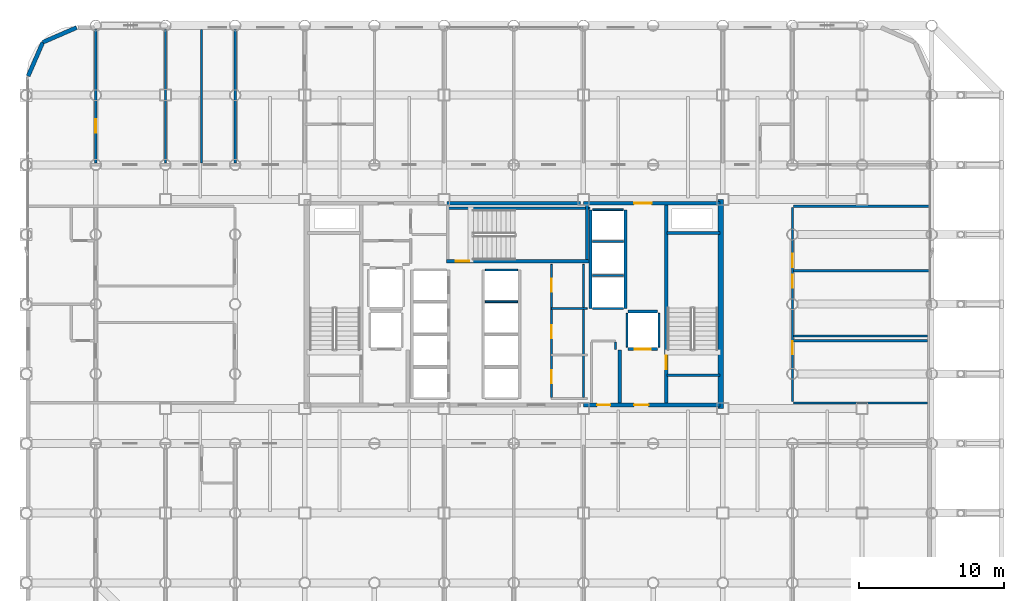
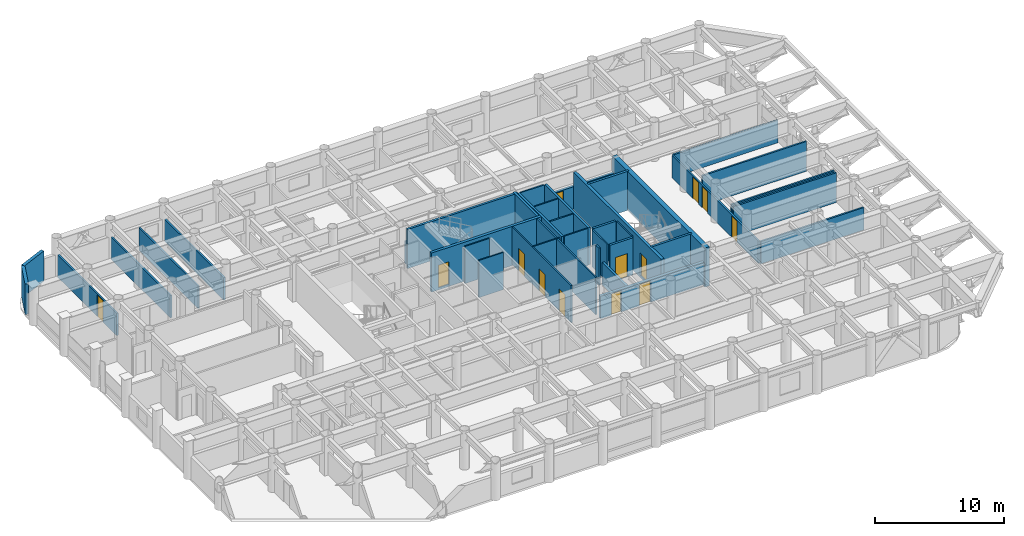
# One storey, part 23 of 26: 39 walls, 13 doors, 13 openings.
"""IFC4 building model written with IfcOpenShell, lengths in metres."""

from ifc_helpers import new_model, si_unit, direction, frame, frame_2d, origin, place, context, subcontext, project, spatial, rectangle, extrude, material, layer, layer_set, type_object, element, fill, save


model = new_model("IFC4")

# Units and contexts
model_context = context("Model", 3, precision=1e-05, world=origin(), true_north=direction((0.0, 1.0)))
body_context = subcontext(model_context, "Body", "Model", "MODEL_VIEW")
ifc_project = project(units=[si_unit("LENGTHUNIT", "METRE"), si_unit("AREAUNIT", "SQUARE_METRE"), si_unit("VOLUMEUNIT", "CUBIC_METRE"), si_unit("PLANEANGLEUNIT", "RADIAN"), si_unit("MASSUNIT", "GRAM", prefix="KILO")], contexts=[model_context])

# Site, building, storey
site_placement = place(None, origin())
site = spatial("IfcSite", under=ifc_project, at=site_placement, CompositionType="ELEMENT")
building_placement = place(site_placement, origin())
building = spatial("IfcBuilding", under=site, at=building_placement, Name="Kallvorn Hotel Tower", CompositionType="ELEMENT")
storey_placement = place(building_placement, frame((0.0, 0.0, 55.89990234375)))
storey = spatial("IfcBuildingStorey", under=building, at=storey_placement, Name="L12", CompositionType="ELEMENT", Elevation=55.89990234375)

# Walls
ifc_material_1 = material(Name="Concrete C50/60", Category="concrete")
ifc_layer_1 = layer(ifc_material_1, 0.39990234375)
ifc_layer_set_1 = layer_set([ifc_layer_1], Name="WL_CORE_400")
wall_type_1 = type_object("IfcWallType", Name="WL_CORE_400", PredefinedType="SHEAR", material=ifc_layer_set_1)
wall_1_placement = place(storey_placement, frame((14.264892578125, -7.199951171875, -0.179931640625), z_axis=(0.0, 0.0, 1.0), x_axis=(0.0, 1.0, 0.0)))
element("IfcWall", 1, at=wall_1_placement, inside=storey, type_object=wall_type_1, Name="L12 Core East Shear Wall", PredefinedType="SHEAR", context=body_context, shape_type="SweptSolid", body=[
    extrude(rectangle(XDim=14.39990234375, YDim=0.39990234375, at=frame_2d((7.199951171875, 0.0))), origin(), (0.0, 0.0, 1.0), 3.699951171875),
])
ifc_material_2 = material(Name="Fire-rated double-layer acoustic gypsum drywall EI 60")
ifc_layer_2 = layer(ifc_material_2, 0.159912109375)
ifc_layer_set_2 = layer_set([ifc_layer_2], Name="WL_DEMISE_160")
wall_type_2 = type_object("IfcWallType", Name="WL_DEMISE_160", PredefinedType="PARTITIONING", material=ifc_layer_set_2)
wall_2_placement = place(storey_placement, frame((-19.199951171875, 9.719970703125, 0.0), z_axis=(0.0, 0.0, 1.0), x_axis=(0.0, 1.0, 0.0)))
element("IfcWall", 2, at=wall_2_placement, inside=storey, type_object=wall_type_2, Name="L12 Suite 1204 Junior Living Salon Partition", PredefinedType="PARTITIONING", context=body_context, shape_type="SweptSolid", body=[
    extrude(rectangle(XDim=9.18994140625, YDim=0.159912109375, at=frame_2d((4.594970703125, 0.0))), origin(), (0.0, 0.0, 1.0), 2.1201171875),
])
ifc_material_3 = material(Name="Precast basalt-clad insulated concrete wall C40/50", Category="masonry")
ifc_layer_3 = layer(ifc_material_3, 0.280029296875)
ifc_layer_set_3 = layer_set([ifc_layer_3], Name="WL_EXT_LOGGIA_280")
wall_type_3 = type_object("IfcWallType", Name="WL_EXT_LOGGIA_280", PredefinedType="SOLIDWALL", material=ifc_layer_set_3)
wall_3_placement = place(storey_placement, frame((-30.120849609375, 19.057861328125, 0.0), z_axis=(0.0, 0.0, 1.0), x_axis=(-0.917060872934, -0.398747232384, 0.0)))
element("IfcWall", 3, at=wall_3_placement, inside=storey, type_object=wall_type_3, Name="L12 Rounded Corner Exterior Wall NW1", PredefinedType="SOLIDWALL", context=body_context, shape_type="SweptSolid", body=[
    extrude(rectangle(XDim=2.5361328125, YDim=0.280029296875, at=frame_2d((1.26806640625, 0.0))), origin(), (0.0, 0.0, 1.0), 2.8701171875),
])
wall_4_placement = place(storey_placement, frame((-32.446533203125, 18.046630859375, 0.0), z_axis=(0.0, 0.0, 1.0), x_axis=(-0.398792985289, -0.917040977756, 0.0)))
element("IfcWall", 4, at=wall_4_placement, inside=storey, type_object=wall_type_3, Name="L12 Rounded Corner Exterior Wall NW2", PredefinedType="SOLIDWALL", context=body_context, shape_type="SweptSolid", body=[
    extrude(rectangle(XDim=2.536376953125, YDim=0.280029296875, at=frame_2d((1.26806640625, 0.0))), origin(), (0.0, 0.0, 1.0), 2.8701171875),
])
ifc_material_4 = material(Name="Concrete C40/50", Category="concrete")
ifc_layer_4 = layer(ifc_material_4, 0.219970703125)
ifc_layer_set_4 = layer_set([ifc_layer_4], Name="WL_FFL_220")
wall_type_4 = type_object("IfcWallType", Name="WL_FFL_220", PredefinedType="SOLIDWALL", material=ifc_layer_set_4)
wall_5_placement = place(storey_placement, frame((7.300048828125, -6.820068359375, 0.0), z_axis=(0.0, 0.0, 1.0), x_axis=(0.0, 1.0, 0.0)))
element("IfcWall", 5, at=wall_5_placement, inside=storey, type_object=wall_type_4, Name="L12 Firefighting Lobby East Divider Wall", PredefinedType="SOLIDWALL", context=body_context, shape_type="SweptSolid", body=[
    extrude(rectangle(XDim=3.670166015625, YDim=0.219970703125, at=frame_2d((1.8349609375, 0.0))), origin(), (0.0, 0.0, 1.0), 2.1201171875),
])
ifc_material_5 = material(Name="Concrete C40/50", Category="concrete")
ifc_layer_5 = layer(ifc_material_5, 0.199951171875)
ifc_layer_set_5 = layer_set([ifc_layer_5], Name="WL_HOIST_200")
wall_type_5 = type_object("IfcWallType", Name="WL_HOIST_200", PredefinedType="SOLIDWALL", material=ifc_layer_set_5)
for number, where, z_axis, x_axis, name in (
    (6, (10.550048828125, -4.89990234375, -0.179931640625), (0.0, 0.0, 1.0), (1.0, 0.0, 0.0), "L12 Stair ST2 South Wall"),
    (7, (10.550048828125, 4.89990234375, -0.179931640625), (0.0, 0.0, 1.0), (1.0, 0.0, 0.0), "L12 Stair ST2 North Wall"),
):
    element("IfcWall", number, at=place(storey_placement, frame(where, z_axis=z_axis, x_axis=x_axis)), inside=storey, type_object=wall_type_5, Name=name, PredefinedType="SOLIDWALL", context=body_context, shape_type="SweptSolid", body=[
        extrude(rectangle(XDim=3.64990234375, YDim=0.199951171875, at=frame_2d((1.824951171875, 0.0))), origin(), (0.0, 0.0, 1.0), 3.699951171875),
    ])
wall_6_placement = place(storey_placement, frame((-4.64990234375, 6.610107421875, -0.179931640625), z_axis=(0.0, 0.0, 1.0), x_axis=(1.0, 0.0, 0.0)))
element("IfcWall", 8, at=wall_6_placement, inside=storey, type_object=wall_type_5, Name="L12 Stair ST3 Shaft North Wall", PredefinedType="SOLIDWALL", context=body_context, shape_type="SweptSolid", body=[
    extrude(rectangle(XDim=9.89990234375, YDim=0.199951171875, at=frame_2d((4.949951171875, 0.0))), origin(), (0.0, 0.0, 1.0), 3.699951171875),
])
wall_7_placement = place(storey_placement, frame((5.06005859375, 3.080078125, -0.179931640625), z_axis=(0.0, 0.0, 1.0), x_axis=(0.0, 1.0, 0.0)))
element("IfcWall", 9, at=wall_7_placement, inside=storey, type_object=wall_type_5, Name="L12 Stair ST3 East Wall", PredefinedType="SOLIDWALL", context=body_context, shape_type="SweptSolid", body=[
    extrude(rectangle(XDim=3.739990234375, YDim=0.199951171875, at=frame_2d((1.8701171875, 0.0))), origin(), (0.0, 0.0, 1.0), 3.699951171875),
])
for number, where, z_axis, x_axis, name in (
    (10, (7.699951171875, -0.300048828125, 0.0), (0.0, 0.0, 1.0), (0.0, 1.0, 0.0), "L12 Lift Bank OBS Landing Wall"),
    (11, (5.300048828125, -0.300048828125, 0.0), (0.0, 0.0, 1.0), (0.0, 1.0, 0.0), "L12 Lift Bank OBS Rear Shaft Wall"),
):
    element("IfcWall", number, at=place(storey_placement, frame(where, z_axis=z_axis, x_axis=x_axis)), inside=storey, type_object=wall_type_5, Name=name, PredefinedType="SOLIDWALL", context=body_context, shape_type="SweptSolid", body=[
        extrude(rectangle(XDim=6.800048828125, YDim=0.199951171875, at=frame_2d((3.39990234375, 0.0))), origin(), (0.0, 0.0, 1.0), 3.52001953125),
    ])

# Wall, opening, door
wall_8_placement = place(storey_placement, frame((7.8798828125, -3.10009765625, 0.0), z_axis=(0.0, 0.0, 1.0), x_axis=(1.0, 0.0, 0.0)))
wall_8 = element("IfcWall", 12, at=wall_8_placement, inside=storey, type_object=wall_type_5, Name="L12 FL-2 Landing Wall", PredefinedType="SOLIDWALL", context=body_context, shape_type="SweptSolid", body=[
    extrude(rectangle(XDim=2.0400390625, YDim=0.199951171875, at=frame_2d((1.02001953125, 0.0))), origin(), (0.0, 0.0, 1.0), 3.52001953125),
])
opening_1_placement = place(wall_8_placement, frame((0.469970703125, 0.0, 0.0)))
opening_1 = element("IfcOpeningElement", 13, at=opening_1_placement, cuts=wall_8, Name="Opening LD-FL-2", PredefinedType="OPENING", context=body_context, shape_type="SweptSolid", body=[
    extrude(rectangle(XDim=1.10009765625, YDim=2.199951171875, at=frame_2d((0.550048828125, 1.10009765625))), frame((0.0, 0.114990234375, 0.0), z_axis=(0.0, -1.0, 0.0), x_axis=(1.0, 0.0, 0.0)), (0.0, 0.0, 1.0), 0.22998046875),
])
ifc_material_6 = material(Name="Brushed stainless-steel automatic sliding lift landing door", Category="steel")
door_type_1 = type_object("IfcDoorType", Name="LD_PASS_1100x2200", OperationType="SLIDING_TO_LEFT", PredefinedType="DOOR", material=ifc_material_6)
door_1_placement = place(opening_1_placement, origin())
door_1 = element("IfcDoor", 14, at=door_1_placement, inside=storey, type_object=door_type_1, Name="L12 Lift Landing Sliding Door LD-FL-2", OperationType="SLIDING_TO_LEFT", OverallHeight=2.199951171875, OverallWidth=1.10009765625, PredefinedType="DOOR", context=body_context, shape_type="SweptSolid", body=[
    extrude(rectangle(XDim=1.10009765625, YDim=2.199951171875, at=frame_2d((0.550048828125, 1.10009765625))), frame((0.0, 0.02490234375, 0.0), z_axis=(0.0, -1.0, 0.0), x_axis=(1.0, 0.0, 0.0)), (0.0, 0.0, 1.0), 0.050048828125),
])
fill(opening_1, door_1)

# Walls
wall_9_placement = place(storey_placement, frame((7.8798828125, -0.5, 0.0), z_axis=(0.0, 0.0, 1.0), x_axis=(1.0, 0.0, 0.0)))
element("IfcWall", 15, at=wall_9_placement, inside=storey, type_object=wall_type_5, Name="L12 FL-2 Rear Shaft Wall", PredefinedType="SOLIDWALL", context=body_context, shape_type="SweptSolid", body=[
    extrude(rectangle(XDim=2.0400390625, YDim=0.199951171875, at=frame_2d((1.02001953125, 0.0))), origin(), (0.0, 0.0, 1.0), 3.52001953125),
])
ifc_material_7 = material(Name="Fire-rated double-layer acoustic gypsum drywall EI 60")
ifc_layer_6 = layer(ifc_material_7, 0.1201171875)
ifc_layer_set_6 = layer_set([ifc_layer_6], Name="WL_INT_120")
wall_type_6 = type_object("IfcWallType", Name="WL_INT_120", PredefinedType="PARTITIONING", material=ifc_layer_set_6)
for number, where, z_axis, x_axis, name in (
    (16, (-1.9599609375, 0.175048828125, 0.0), (0.0, 0.0, 1.0), (1.0, 0.0, 0.0), "L12 PL-07 Hoistway Divider"),
    (17, (-1.9599609375, 2.35009765625, 0.0), (0.0, 0.0, 1.0), (1.0, 0.0, 0.0), "L12 PL-08 Hoistway Divider"),
):
    element("IfcWall", number, at=place(storey_placement, frame(where, z_axis=z_axis, x_axis=x_axis)), inside=storey, type_object=wall_type_6, Name=name, PredefinedType="PARTITIONING", context=body_context, shape_type="SweptSolid", body=[
        extrude(rectangle(XDim=2.219970703125, YDim=0.1201171875, at=frame_2d((1.10986328125, 0.0))), origin(), (0.0, 0.0, 1.0), 3.52001953125),
    ])
for number, where, z_axis, x_axis, name in (
    (18, (5.43994140625, -0.300048828125, 0.0), (0.0, 0.0, 1.0), (1.0, 0.0, 0.0), "L12 Lift Bank OBS South Closure Wall"),
    (19, (5.43994140625, 1.97509765625, 0.0), (0.0, 0.0, 1.0), (1.0, 0.0, 0.0), "L12 OB-01 Hoistway Divider"),
    (20, (5.43994140625, 4.324951171875, 0.0), (0.0, 0.0, 1.0), (1.0, 0.0, 0.0), "L12 OB-02 Hoistway Divider"),
    (21, (5.43994140625, 6.5, 0.0), (0.0, 0.0, 1.0), (1.0, 0.0, 0.0), "L12 OB-03 Hoistway Divider"),
):
    element("IfcWall", number, at=place(storey_placement, frame(where, z_axis=z_axis, x_axis=x_axis)), inside=storey, type_object=wall_type_6, Name=name, PredefinedType="PARTITIONING", context=body_context, shape_type="SweptSolid", body=[
        extrude(rectangle(XDim=2.1201171875, YDim=0.1201171875, at=frame_2d((1.06005859375, 0.0))), origin(), (0.0, 0.0, 1.0), 3.52001953125),
    ])
for number, where, z_axis, x_axis, name in (
    (22, (7.800048828125, -2.9599609375, 0.0), (0.0, 0.0, 1.0), (0.0, 1.0, 0.0), "L12 FL-2 West Shaft Wall"),
    (23, (10.0, -2.9599609375, 0.0), (0.0, 0.0, 1.0), (0.0, 1.0, 0.0), "L12 FL-2 East Shaft Wall"),
):
    element("IfcWall", number, at=place(storey_placement, frame(where, z_axis=z_axis, x_axis=x_axis)), inside=storey, type_object=wall_type_6, Name=name, PredefinedType="PARTITIONING", context=body_context, shape_type="SweptSolid", body=[
        extrude(rectangle(XDim=2.320068359375, YDim=0.1201171875, at=frame_2d((1.16015625, 0.0))), origin(), (0.0, 0.0, 1.0), 3.52001953125),
    ])
wall_10_placement = place(storey_placement, frame((2.60009765625, -0.300048828125, 0.0), z_axis=(0.0, 0.0, 1.0), x_axis=(1.0, 0.0, 0.0)))
element("IfcWall", 24, at=wall_10_placement, inside=storey, type_object=wall_type_6, Name="L12 East Core Cleaners Room Partition", PredefinedType="PARTITIONING", context=body_context, shape_type="SweptSolid", body=[
    extrude(rectangle(XDim=2.449951171875, YDim=0.1201171875, at=frame_2d((1.22509765625, 0.0))), origin(), (0.0, 0.0, 1.0), 3.52001953125),
])

# Wall, openings, doors
wall_11_placement = place(storey_placement, frame((2.60009765625, -6.4150390625, 0.0), z_axis=(0.0, 0.0, 1.0), x_axis=(0.0, 1.0, 0.0)))
wall_11 = element("IfcWall", 25, at=wall_11_placement, inside=storey, type_object=wall_type_6, Name="L12 East Core Minibar Store Partition", PredefinedType="PARTITIONING", context=body_context, shape_type="SweptSolid", body=[
    extrude(rectangle(XDim=9.1650390625, YDim=0.1201171875, at=frame_2d((4.58251953125, 0.0))), origin(), (0.0, 0.0, 1.0), 3.52001953125),
])
opening_2_placement = place(wall_11_placement, frame((0.965087890625, 0.0, 0.0)))
opening_2 = element("IfcOpeningElement", 26, at=opening_2_placement, cuts=wall_11, Name="Opening SVD1", PredefinedType="OPENING", context=body_context, shape_type="SweptSolid", body=[
    extrude(rectangle(XDim=0.89990234375, YDim=2.10009765625, at=frame_2d((0.449951171875, 1.050048828125))), frame((0.0, 0.074951171875, 0.0), z_axis=(0.0, -1.0, 0.0), x_axis=(1.0, 0.0, 0.0)), (0.0, 0.0, 1.0), 0.150146484375),
])
opening_3_placement = place(wall_11_placement, frame((4.06494140625, 0.0, 0.0)))
opening_3 = element("IfcOpeningElement", 27, at=opening_3_placement, cuts=wall_11, Name="Opening SVD1", PredefinedType="OPENING", context=body_context, shape_type="SweptSolid", body=[
    extrude(rectangle(XDim=0.89990234375, YDim=2.10009765625, at=frame_2d((0.449951171875, 1.050048828125))), frame((0.0, 0.074951171875, 0.0), z_axis=(0.0, -1.0, 0.0), x_axis=(1.0, 0.0, 0.0)), (0.0, 0.0, 1.0), 0.150146484375),
])
opening_4_placement = place(wall_11_placement, frame((7.264892578125, 0.0, 0.0)))
opening_4 = element("IfcOpeningElement", 28, at=opening_4_placement, cuts=wall_11, Name="Opening SVD1", PredefinedType="OPENING", context=body_context, shape_type="SweptSolid", body=[
    extrude(rectangle(XDim=0.89990234375, YDim=2.10009765625, at=frame_2d((0.449951171875, 1.050048828125))), frame((0.0, 0.074951171875, 0.0), z_axis=(0.0, -1.0, 0.0), x_axis=(1.0, 0.0, 0.0)), (0.0, 0.0, 1.0), 0.150146484375),
])
ifc_material_8 = material(Name="Galvanised painted steel fire-rated door assembly", Category="steel")
door_type_2 = type_object("IfcDoorType", Name="DR_SERV_900x2100", OperationType="NOTDEFINED", PredefinedType="DOOR", material=ifc_material_8)
door_2_placement = place(opening_2_placement, origin())
door_2 = element("IfcDoor", 29, at=door_2_placement, inside=storey, type_object=door_type_2, Name="L12 East Core Minibar Store Door", OperationType="SINGLE_SWING_RIGHT", OverallHeight=2.10009765625, OverallWidth=0.89990234375, PredefinedType="DOOR", context=body_context, shape_type="SweptSolid", body=[
    extrude(rectangle(XDim=0.89990234375, YDim=2.10009765625, at=frame_2d((0.449951171875, 1.050048828125))), frame((0.0, 0.02490234375, 0.0), z_axis=(0.0, -1.0, 0.0), x_axis=(1.0, 0.0, 0.0)), (0.0, 0.0, 1.0), 0.050048828125),
])
fill(opening_2, door_2)
door_3_placement = place(opening_3_placement, origin())
door_3 = element("IfcDoor", 30, at=door_3_placement, inside=storey, type_object=door_type_2, Name="L12 East Core Housekeeping Supply Closet Door", OperationType="SINGLE_SWING_RIGHT", OverallHeight=2.10009765625, OverallWidth=0.89990234375, PredefinedType="DOOR", context=body_context, shape_type="SweptSolid", body=[
    extrude(rectangle(XDim=0.89990234375, YDim=2.10009765625, at=frame_2d((0.449951171875, 1.050048828125))), frame((0.0, 0.02490234375, 0.0), z_axis=(0.0, -1.0, 0.0), x_axis=(1.0, 0.0, 0.0)), (0.0, 0.0, 1.0), 0.050048828125),
])
fill(opening_3, door_3)
door_4_placement = place(opening_4_placement, origin())
door_4 = element("IfcDoor", 31, at=door_4_placement, inside=storey, type_object=door_type_2, Name="L12 East Core Cleaners Room Door", OperationType="SINGLE_SWING_LEFT", OverallHeight=2.10009765625, OverallWidth=0.89990234375, PredefinedType="DOOR", context=body_context, shape_type="SweptSolid", body=[
    extrude(rectangle(XDim=0.89990234375, YDim=2.10009765625, at=frame_2d((0.449951171875, 1.050048828125))), frame((0.0, 0.02490234375, 0.0), z_axis=(0.0, -1.0, 0.0), x_axis=(1.0, 0.0, 0.0)), (0.0, 0.0, 1.0), 0.050048828125),
])
fill(opening_4, door_4)

# Walls
wall_12_placement = place(storey_placement, frame((4.800048828125, -6.4150390625, 0.0), z_axis=(0.0, 0.0, 1.0), x_axis=(0.0, 1.0, 0.0)))
element("IfcWall", 32, at=wall_12_placement, inside=storey, type_object=wall_type_6, Name="L12 East Core Minibar Store Partition", PredefinedType="PARTITIONING", context=body_context, shape_type="SweptSolid", body=[
    extrude(rectangle(XDim=9.1650390625, YDim=0.1201171875, at=frame_2d((4.58251953125, 0.0))), origin(), (0.0, 0.0, 1.0), 3.52001953125),
])
ifc_material_9 = material(Name="Fire-rated double-layer acoustic gypsum drywall EI 60")
ifc_layer_7 = layer(ifc_material_9, 0.14990234375)
ifc_layer_set_7 = layer_set([ifc_layer_7], Name="WL_PART_150")
wall_type_7 = type_object("IfcWallType", Name="WL_PART_150", PredefinedType="PARTITIONING", material=ifc_layer_set_7)
wall_13_placement = place(storey_placement, frame((19.280029296875, -6.800048828125, 0.0), z_axis=(0.0, 0.0, 1.0), x_axis=(1.0, 0.0, 0.0)))
element("IfcWall", 33, at=wall_13_placement, inside=storey, type_object=wall_type_7, Name="L12 L12 E South Tasting Bar Partition", PredefinedType="PARTITIONING", context=body_context, shape_type="SweptSolid", body=[
    extrude(rectangle(XDim=9.22998046875, YDim=0.14990234375, at=frame_2d((4.614990234375, 0.0))), origin(), (0.0, 0.0, 1.0), 2.1201171875),
])
for number, where, z_axis, x_axis, name in (
    (34, (19.280029296875, -2.52490234375, 0.0), (0.0, 0.0, 1.0), (1.0, 0.0, 0.0), "L12 L12 E South Tasting Bar Partition"),
    (35, (19.280029296875, -2.199951171875, 0.0), (0.0, 0.0, 1.0), (1.0, 0.0, 0.0), "L12 L12 E Central Reading Gallery Partition"),
):
    element("IfcWall", number, at=place(storey_placement, frame(where, z_axis=z_axis, x_axis=x_axis)), inside=storey, type_object=wall_type_7, Name=name, PredefinedType="PARTITIONING", context=body_context, shape_type="SweptSolid", body=[
        extrude(rectangle(XDim=9.22998046875, YDim=0.14990234375, at=frame_2d((4.614990234375, 0.0))), origin(), (0.0, 0.0, 1.0), 2.820068359375),
    ])
wall_14_placement = place(storey_placement, frame((19.280029296875, 2.300048828125, 0.0), z_axis=(0.0, 0.0, 1.0), x_axis=(1.0, 0.0, 0.0)))
element("IfcWall", 36, at=wall_14_placement, inside=storey, type_object=wall_type_7, Name="L12 L12 E Central Reading Gallery Partition", PredefinedType="PARTITIONING", context=body_context, shape_type="SweptSolid", body=[
    extrude(rectangle(XDim=9.349853515625, YDim=0.14990234375, at=frame_2d((4.6748046875, 0.0))), origin(), (0.0, 0.0, 1.0), 2.820068359375),
])
wall_15_placement = place(storey_placement, frame((19.280029296875, 6.75, 0.0), z_axis=(0.0, 0.0, 1.0), x_axis=(1.0, 0.0, 0.0)))
element("IfcWall", 37, at=wall_15_placement, inside=storey, type_object=wall_type_7, Name="L12 L12 E North Movement Gymnasium Partition", PredefinedType="PARTITIONING", context=body_context, shape_type="SweptSolid", body=[
    extrude(rectangle(XDim=9.349853515625, YDim=0.14990234375, at=frame_2d((4.6748046875, 0.0))), origin(), (0.0, 0.0, 1.0), 2.1201171875),
])

# Wall, opening, door
wall_16_placement = place(storey_placement, frame((-28.800048828125, 9.719970703125, 0.0), z_axis=(0.0, 0.0, 1.0), x_axis=(0.0, 1.0, 0.0)))
wall_16 = element("IfcWall", 38, at=wall_16_placement, inside=storey, type_object=wall_type_7, Name="L12 L12 North-West Fitness Gymnasium A Partition", PredefinedType="PARTITIONING", context=body_context, shape_type="SweptSolid", body=[
    extrude(rectangle(XDim=9.18994140625, YDim=0.14990234375, at=frame_2d((4.594970703125, 0.0))), origin(), (0.0, 0.0, 1.0), 2.1201171875),
])
opening_5_placement = place(wall_16_placement, frame((2.10791015625, 0.0, 0.0)))
opening_5 = element("IfcOpeningElement", 39, at=opening_5_placement, cuts=wall_16, Name="Opening SVD1A", PredefinedType="OPENING", context=body_context, shape_type="SweptSolid", body=[
    extrude(rectangle(XDim=0.89990234375, YDim=2.02001953125, at=frame_2d((0.449951171875, 1.010009765625))), frame((0.0, 0.08984375, 0.0), z_axis=(0.0, -1.0, 0.0), x_axis=(1.0, 0.0, 0.0)), (0.0, 0.0, 1.0), 0.179931640625),
])
ifc_material_10 = material(Name="Galvanised painted steel fire-rated door assembly", Category="steel")
door_type_3 = type_object("IfcDoorType", Name="DR_SERV_900x2020", OperationType="NOTDEFINED", PredefinedType="DOOR", material=ifc_material_10)
door_5_placement = place(opening_5_placement, origin())
door_5 = element("IfcDoor", 40, at=door_5_placement, inside=storey, type_object=door_type_3, Name="L12 L12 North-West Fitness Gymnasium A Door", OperationType="SINGLE_SWING_LEFT", OverallHeight=2.02001953125, OverallWidth=0.89990234375, PredefinedType="DOOR", context=body_context, shape_type="SweptSolid", body=[
    extrude(rectangle(XDim=0.89990234375, YDim=2.02001953125, at=frame_2d((0.449951171875, 1.010009765625))), frame((0.0, 0.02490234375, 0.0), z_axis=(0.0, -1.0, 0.0), x_axis=(1.0, 0.0, 0.0)), (0.0, 0.0, 1.0), 0.050048828125),
])
fill(opening_5, door_5)

# Walls
for number, where, z_axis, x_axis, name in (
    (41, (-24.0, 9.719970703125, 0.0), (0.0, 0.0, 1.0), (0.0, 1.0, 0.0), "L12 Housekeeping and Linen Room Partition"),
    (42, (-21.5048828125, 9.719970703125, 0.0), (0.0, 0.0, 1.0), (0.0, 1.0, 0.0), "L12 Guest Tea and Refreshment Bar Partition"),
):
    element("IfcWall", number, at=place(storey_placement, frame(where, z_axis=z_axis, x_axis=x_axis)), inside=storey, type_object=wall_type_7, Name=name, PredefinedType="PARTITIONING", context=body_context, shape_type="SweptSolid", body=[
        extrude(rectangle(XDim=9.18994140625, YDim=0.14990234375, at=frame_2d((4.594970703125, 0.0))), origin(), (0.0, 0.0, 1.0), 2.1201171875),
    ])

# Wall, openings, doors
wall_17_placement = place(storey_placement, frame((19.199951171875, -6.715087890625, 0.0), z_axis=(0.0, 0.0, 1.0), x_axis=(0.0, 1.0, 0.0)))
wall_17 = element("IfcWall", 43, at=wall_17_placement, inside=storey, type_object=wall_type_7, Name="L12 L12 E South Tasting Bar Partition", PredefinedType="PARTITIONING", context=body_context, shape_type="SweptSolid", body=[
    extrude(rectangle(XDim=13.380126953125, YDim=0.14990234375, at=frame_2d((6.68994140625, 0.0))), origin(), (0.0, 0.0, 1.0), 2.1201171875),
])
opening_6_placement = place(wall_17_placement, frame((3.2548828125, 0.0, 0.0)))
opening_6 = element("IfcOpeningElement", 44, at=opening_6_placement, cuts=wall_17, Name="Opening SVD1A", PredefinedType="OPENING", context=body_context, shape_type="SweptSolid", body=[
    extrude(rectangle(XDim=0.89990234375, YDim=2.02001953125, at=frame_2d((0.449951171875, 1.010009765625))), frame((0.0, 0.08984375, 0.0), z_axis=(0.0, -1.0, 0.0), x_axis=(1.0, 0.0, 0.0)), (0.0, 0.0, 1.0), 0.179931640625),
])
opening_7_placement = place(wall_17_placement, frame((7.85498046875, 0.0, 0.0)))
opening_7 = element("IfcOpeningElement", 45, at=opening_7_placement, cuts=wall_17, Name="Opening SVD1A", PredefinedType="OPENING", context=body_context, shape_type="SweptSolid", body=[
    extrude(rectangle(XDim=0.89990234375, YDim=2.02001953125, at=frame_2d((0.449951171875, 1.010009765625))), frame((0.0, 0.08984375, 0.0), z_axis=(0.0, -1.0, 0.0), x_axis=(1.0, 0.0, 0.0)), (0.0, 0.0, 1.0), 0.179931640625),
])
opening_8_placement = place(wall_17_placement, frame((9.27490234375, 0.0, 0.0)))
opening_8 = element("IfcOpeningElement", 46, at=opening_8_placement, cuts=wall_17, Name="Opening SVD1A", PredefinedType="OPENING", context=body_context, shape_type="SweptSolid", body=[
    extrude(rectangle(XDim=0.89990234375, YDim=2.02001953125, at=frame_2d((0.449951171875, 1.010009765625))), frame((0.0, 0.08984375, 0.0), z_axis=(0.0, -1.0, 0.0), x_axis=(1.0, 0.0, 0.0)), (0.0, 0.0, 1.0), 0.179931640625),
])
door_6_placement = place(opening_6_placement, origin())
door_6 = element("IfcDoor", 47, at=door_6_placement, inside=storey, type_object=door_type_3, Name="L12 L12 E South Tasting Bar Door", OperationType="SINGLE_SWING_RIGHT", OverallHeight=2.02001953125, OverallWidth=0.89990234375, PredefinedType="DOOR", context=body_context, shape_type="SweptSolid", body=[
    extrude(rectangle(XDim=0.89990234375, YDim=2.02001953125, at=frame_2d((0.449951171875, 1.010009765625))), frame((0.0, 0.02490234375, 0.0), z_axis=(0.0, -1.0, 0.0), x_axis=(1.0, 0.0, 0.0)), (0.0, 0.0, 1.0), 0.050048828125),
])
fill(opening_6, door_6)
door_7_placement = place(opening_7_placement, origin())
door_7 = element("IfcDoor", 48, at=door_7_placement, inside=storey, type_object=door_type_3, Name="L12 L12 E Central Reading Gallery Door", OperationType="SINGLE_SWING_RIGHT", OverallHeight=2.02001953125, OverallWidth=0.89990234375, PredefinedType="DOOR", context=body_context, shape_type="SweptSolid", body=[
    extrude(rectangle(XDim=0.89990234375, YDim=2.02001953125, at=frame_2d((0.449951171875, 1.010009765625))), frame((0.0, 0.02490234375, 0.0), z_axis=(0.0, -1.0, 0.0), x_axis=(1.0, 0.0, 0.0)), (0.0, 0.0, 1.0), 0.050048828125),
])
fill(opening_7, door_7)
door_8_placement = place(opening_8_placement, origin())
door_8 = element("IfcDoor", 49, at=door_8_placement, inside=storey, type_object=door_type_3, Name="L12 L12 E North Movement Gymnasium Door", OperationType="SINGLE_SWING_LEFT", OverallHeight=2.02001953125, OverallWidth=0.89990234375, PredefinedType="DOOR", context=body_context, shape_type="SweptSolid", body=[
    extrude(rectangle(XDim=0.89990234375, YDim=2.02001953125, at=frame_2d((0.449951171875, 1.010009765625))), frame((0.0, 0.02490234375, 0.0), z_axis=(0.0, -1.0, 0.0), x_axis=(1.0, 0.0, 0.0)), (0.0, 0.0, 1.0), 0.050048828125),
])
fill(opening_8, door_8)

# Wall
ifc_material_11 = material(Name="Moisture-resistant acoustic plumbing chase wall EI 60")
ifc_layer_8 = layer(ifc_material_11, 0.139892578125)
ifc_layer_set_8 = layer_set([ifc_layer_8], Name="WL_PLUMB_140")
wall_type_8 = type_object("IfcWallType", Name="WL_PLUMB_140", PredefinedType="PLUMBINGWALL", material=ifc_layer_set_8)
wall_18_placement = place(storey_placement, frame((7.0, -3.110107421875, 0.0), z_axis=(0.0, 0.0, 1.0), x_axis=(0.0, 1.0, 0.0)))
element("IfcWall", 50, at=wall_18_placement, inside=storey, type_object=wall_type_8, Name="L12 Core Accessible Staff WC Partition", PredefinedType="PLUMBINGWALL", context=body_context, shape_type="SweptSolid", body=[
    extrude(rectangle(XDim=0.5, YDim=0.139892578125, at=frame_2d((0.25, 0.0))), origin(), (0.0, 0.0, 1.0), 3.52001953125),
])

# Wall, openings, doors
ifc_material_12 = material(Name="Concrete C40/50", Category="concrete")
ifc_layer_9 = layer(ifc_material_12, 0.25)
ifc_layer_set_9 = layer_set([ifc_layer_9], Name="WL_SHAFT_250")
wall_type_9 = type_object("IfcWallType", Name="WL_SHAFT_250", PredefinedType="SOLIDWALL", material=ifc_layer_set_9)
wall_19_placement = place(storey_placement, frame((4.800048828125, -6.949951171875, 0.0), z_axis=(0.0, 0.0, 1.0), x_axis=(1.0, 0.0, 0.0)))
wall_19 = element("IfcWall", 51, at=wall_19_placement, inside=storey, type_object=wall_type_9, Name="L12 Core South-East Wall", PredefinedType="SOLIDWALL", context=body_context, shape_type="SweptSolid", body=[
    extrude(rectangle(XDim=9.39990234375, YDim=0.25, at=frame_2d((4.699951171875, 0.0))), origin(), (0.0, 0.0, 1.0), 2.1201171875),
])
opening_9_placement = place(wall_19_placement, frame((3.5, 0.0, 0.0)))
opening_9 = element("IfcOpeningElement", 52, at=opening_9_placement, cuts=wall_19, Name="Opening FD1A", PredefinedType="OPENING", context=body_context, shape_type="SweptSolid", body=[
    extrude(rectangle(XDim=1.0, YDim=2.02001953125, at=frame_2d((0.5, 1.010009765625))), frame((0.0, 0.139892578125, 0.0), z_axis=(0.0, -1.0, 0.0), x_axis=(1.0, 0.0, 0.0)), (0.0, 0.0, 1.0), 0.280029296875),
])
opening_10_placement = place(wall_19_placement, frame((0.949951171875, 0.0, 0.0)))
opening_10 = element("IfcOpeningElement", 53, at=opening_10_placement, cuts=wall_19, Name="Opening SVD1A", PredefinedType="OPENING", context=body_context, shape_type="SweptSolid", body=[
    extrude(rectangle(XDim=0.89990234375, YDim=2.02001953125, at=frame_2d((0.449951171875, 1.010009765625))), frame((0.0, 0.139892578125, 0.0), z_axis=(0.0, -1.0, 0.0), x_axis=(1.0, 0.0, 0.0)), (0.0, 0.0, 1.0), 0.280029296875),
])
ifc_material_13 = material(Name="Galvanised painted steel fire-rated door assembly", Category="steel")
door_type_4 = type_object("IfcDoorType", Name="DR_FFL_1000x2020", OperationType="NOTDEFINED", PredefinedType="DOOR", material=ifc_material_13)
door_9_placement = place(opening_9_placement, origin())
door_9 = element("IfcDoor", 54, at=door_9_placement, inside=storey, type_object=door_type_4, Name="L12 Firefighting Lobby East Door", OperationType="SINGLE_SWING_RIGHT", OverallHeight=2.02001953125, OverallWidth=1.0, PredefinedType="DOOR", context=body_context, shape_type="SweptSolid", body=[
    extrude(rectangle(XDim=1.0, YDim=2.02001953125, at=frame_2d((0.5, 1.010009765625))), frame((0.0, 0.02490234375, 0.0), z_axis=(0.0, -1.0, 0.0), x_axis=(1.0, 0.0, 0.0)), (0.0, 0.0, 1.0), 0.050048828125),
])
fill(opening_9, door_9)
door_10_placement = place(opening_10_placement, origin())
door_10 = element("IfcDoor", 55, at=door_10_placement, inside=storey, type_object=door_type_3, Name="L12 Core Accessible Staff WC Door", OperationType="SINGLE_SWING_LEFT", OverallHeight=2.02001953125, OverallWidth=0.89990234375, PredefinedType="DOOR", context=body_context, shape_type="SweptSolid", body=[
    extrude(rectangle(XDim=0.89990234375, YDim=2.02001953125, at=frame_2d((0.449951171875, 1.010009765625))), frame((0.0, 0.02490234375, 0.0), z_axis=(0.0, -1.0, 0.0), x_axis=(1.0, 0.0, 0.0)), (0.0, 0.0, 1.0), 0.050048828125),
])
fill(opening_10, door_10)

# Wall
wall_20_placement = place(storey_placement, frame((-4.60009765625, 6.949951171875, 0.0), z_axis=(0.0, 0.0, 1.0), x_axis=(1.0, 0.0, 0.0)))
element("IfcWall", 56, at=wall_20_placement, inside=storey, type_object=wall_type_9, Name="L12 Core North-Central Wall", PredefinedType="SOLIDWALL", context=body_context, shape_type="SweptSolid", body=[
    extrude(rectangle(XDim=9.2001953125, YDim=0.25, at=frame_2d((4.60009765625, 0.0))), origin(), (0.0, 0.0, 1.0), 2.1201171875),
])

# Wall, opening, door
wall_21_placement = place(storey_placement, frame((4.800048828125, 6.949951171875, 0.0), z_axis=(0.0, 0.0, 1.0), x_axis=(1.0, 0.0, 0.0)))
wall_21 = element("IfcWall", 57, at=wall_21_placement, inside=storey, type_object=wall_type_9, Name="L12 Core North-East Wall", PredefinedType="SOLIDWALL", context=body_context, shape_type="SweptSolid", body=[
    extrude(rectangle(XDim=9.39990234375, YDim=0.25, at=frame_2d((4.699951171875, 0.0))), origin(), (0.0, 0.0, 1.0), 2.1201171875),
])
opening_11_placement = place(wall_21_placement, frame((3.5, 0.0, 0.0)))
opening_11 = element("IfcOpeningElement", 58, at=opening_11_placement, cuts=wall_21, Name="Opening FD2A", PredefinedType="OPENING", context=body_context, shape_type="SweptSolid", body=[
    extrude(rectangle(XDim=1.199951171875, YDim=2.02001953125, at=frame_2d((0.60009765625, 1.010009765625))), frame((0.0, 0.139892578125, 0.0), z_axis=(0.0, -1.0, 0.0), x_axis=(1.0, 0.0, 0.0)), (0.0, 0.0, 1.0), 0.280029296875),
])
ifc_material_14 = material(Name="Galvanised painted steel fire-rated door assembly", Category="steel")
door_type_5 = type_object("IfcDoorType", Name="DR_LOBBY_1200x2020", OperationType="DOUBLE_DOOR_SINGLE_SWING", PredefinedType="DOOR", material=ifc_material_14)
door_11_placement = place(opening_11_placement, origin())
door_11 = element("IfcDoor", 59, at=door_11_placement, inside=storey, type_object=door_type_5, Name="L12 Observatory Shuttle Lobby Door", OperationType="DOUBLE_DOOR_SINGLE_SWING", OverallHeight=2.02001953125, OverallWidth=1.199951171875, PredefinedType="DOOR", context=body_context, shape_type="SweptSolid", body=[
    extrude(rectangle(XDim=1.199951171875, YDim=2.02001953125, at=frame_2d((0.60009765625, 1.010009765625))), frame((0.0, 0.02490234375, 0.0), z_axis=(0.0, -1.0, 0.0), x_axis=(1.0, 0.0, 0.0)), (0.0, 0.0, 1.0), 0.050048828125),
])
fill(opening_11, door_11)

wall_22_placement = place(storey_placement, frame((10.5, -6.820068359375, -0.179931640625), z_axis=(0.0, 0.0, 1.0), x_axis=(0.0, 1.0, 0.0)))
wall_22 = element("IfcWall", 60, at=wall_22_placement, inside=storey, type_object=wall_type_9, Name="L12 Stair ST2 Shaft Wall", PredefinedType="SOLIDWALL", context=body_context, shape_type="SweptSolid", body=[
    extrude(rectangle(XDim=13.64013671875, YDim=0.25, at=frame_2d((6.820068359375, 0.0))), origin(), (0.0, 0.0, 1.0), 3.699951171875),
])
opening_12_placement = place(wall_22_placement, frame((2.320068359375, 0.0, 0.179931640625)))
opening_12 = element("IfcOpeningElement", 61, at=opening_12_placement, cuts=wall_22, Name="Opening SD1", PredefinedType="OPENING", context=body_context, shape_type="SweptSolid", body=[
    extrude(rectangle(XDim=0.949951171875, YDim=2.14990234375, at=frame_2d((0.47509765625, 1.074951171875))), frame((0.0, 0.139892578125, 0.0), z_axis=(0.0, -1.0, 0.0), x_axis=(1.0, 0.0, 0.0)), (0.0, 0.0, 1.0), 0.280029296875),
])
ifc_material_15 = material(Name="Galvanised painted steel fire-rated door assembly", Category="steel")
door_type_6 = type_object("IfcDoorType", Name="DR_STAIR_950x2150", OperationType="NOTDEFINED", PredefinedType="DOOR", material=ifc_material_15)
door_12_placement = place(opening_12_placement, origin())
door_12 = element("IfcDoor", 62, at=door_12_placement, inside=storey, type_object=door_type_6, Name="L12 Exit Stair ST2 Fire Door", OperationType="SINGLE_SWING_LEFT", OverallHeight=2.14990234375, OverallWidth=0.949951171875, PredefinedType="DOOR", context=body_context, shape_type="SweptSolid", body=[
    extrude(rectangle(XDim=0.949951171875, YDim=2.14990234375, at=frame_2d((0.47509765625, 1.074951171875))), frame((0.0, 0.02490234375, 0.0), z_axis=(0.0, -1.0, 0.0), x_axis=(1.0, 0.0, 0.0)), (0.0, 0.0, 1.0), 0.050048828125),
])
fill(opening_12, door_12)

wall_23_placement = place(storey_placement, frame((-4.64990234375, 2.949951171875, -0.179931640625), z_axis=(0.0, 0.0, 1.0), x_axis=(1.0, 0.0, 0.0)))
wall_23 = element("IfcWall", 63, at=wall_23_placement, inside=storey, type_object=wall_type_9, Name="L12 Stair ST3 Shaft South Wall", PredefinedType="SOLIDWALL", context=body_context, shape_type="SweptSolid", body=[
    extrude(rectangle(XDim=9.89990234375, YDim=0.25, at=frame_2d((4.949951171875, 0.0))), origin(), (0.0, 0.0, 1.0), 3.699951171875),
])
opening_13_placement = place(wall_23_placement, frame((0.64990234375, 0.0, 0.179931640625)))
opening_13 = element("IfcOpeningElement", 64, at=opening_13_placement, cuts=wall_23, Name="Opening SD1", PredefinedType="OPENING", context=body_context, shape_type="SweptSolid", body=[
    extrude(rectangle(XDim=0.949951171875, YDim=2.14990234375, at=frame_2d((0.47509765625, 1.074951171875))), frame((0.0, 0.139892578125, 0.0), z_axis=(0.0, -1.0, 0.0), x_axis=(1.0, 0.0, 0.0)), (0.0, 0.0, 1.0), 0.280029296875),
])
door_13_placement = place(opening_13_placement, origin())
door_13 = element("IfcDoor", 65, at=door_13_placement, inside=storey, type_object=door_type_6, Name="L12 Exit Stair ST3 Fire Door", OperationType="SINGLE_SWING_LEFT", OverallHeight=2.14990234375, OverallWidth=0.949951171875, PredefinedType="DOOR", context=body_context, shape_type="SweptSolid", body=[
    extrude(rectangle(XDim=0.949951171875, YDim=2.14990234375, at=frame_2d((0.47509765625, 1.074951171875))), frame((0.0, 0.02490234375, 0.0), z_axis=(0.0, -1.0, 0.0), x_axis=(1.0, 0.0, 0.0)), (0.0, 0.0, 1.0), 0.050048828125),
])
fill(opening_13, door_13)

save(model, "model.ifc")
